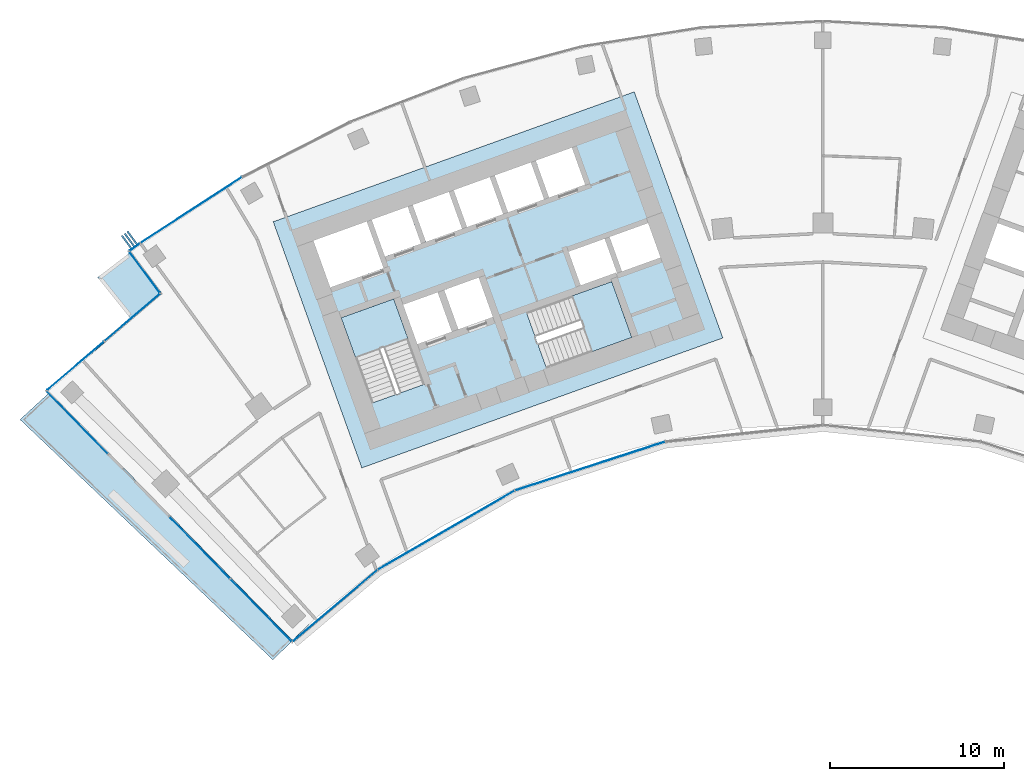
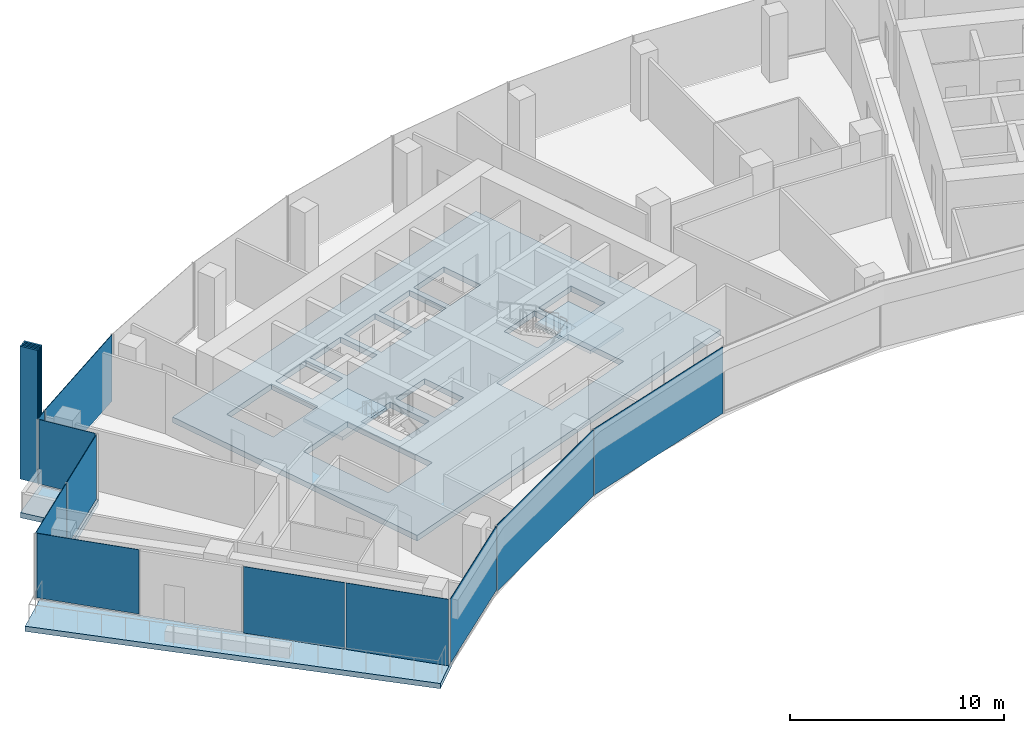
# One storey, part 10 of 20: 14 plates, 5 slabs, 7 elements without a shape of their own.
"""IFC4 building model written with IfcOpenShell, lengths in metres."""

from ifc_helpers import new_model, si_unit, direction, frame, origin, origin_2d, place, context, subcontext, project, spatial, polyline, rectangle, outline, extrude, material, layer, layer_set, type_object, element, aggregate, save


model = new_model("IFC4")

# Units and contexts
model_context = context("Model", 3, precision=1e-05, world=origin(), true_north=direction((0.0, 1.0)))
body_context = subcontext(model_context, "Body", "Model", "MODEL_VIEW")
ifc_project = project(units=[si_unit("LENGTHUNIT", "METRE"), si_unit("AREAUNIT", "SQUARE_METRE"), si_unit("VOLUMEUNIT", "CUBIC_METRE"), si_unit("PLANEANGLEUNIT", "RADIAN"), si_unit("MASSUNIT", "GRAM", prefix="KILO")], contexts=[model_context])

# Site, building, storey
site_placement = place(None, origin())
site = spatial("IfcSite", under=ifc_project, at=site_placement, CompositionType="ELEMENT")
building_placement = place(site_placement, origin())
building = spatial("IfcBuilding", under=site, at=building_placement, Name="Stone Belt Terrace Tower", CompositionType="ELEMENT")
storey_placement = place(building_placement, frame((0.0, 0.0, 216.199951171875)))
storey = spatial("IfcBuildingStorey", under=building, at=storey_placement, Name="L52", CompositionType="ELEMENT", Elevation=216.199951171875)

# Curtain wall, plates
ifc_material_1 = material(Name="Aluminium 6063-T6 anodised frame", Category="aluminium")
ifc_layer_1 = layer(ifc_material_1, 0.14990234375)
ifc_layer_set_1 = layer_set([ifc_layer_1], Name="CW-A unitised convex-face curtain wall")
curtain_wall_type_1 = type_object("IfcCurtainWallType", Name="CW-A unitised convex-face curtain wall", PredefinedType="NOTDEFINED", material=ifc_layer_set_1)
curtain_wall_1_placement = place(storey_placement, origin())
curtain_wall_1 = element("IfcCurtainWall", 1, at=curtain_wall_1_placement, inside=storey, type_object=curtain_wall_type_1, Name="CW-A convex face L52", PredefinedType="NOTDEFINED")
ifc_material_2 = material(Name="Clear double glazed unit")
ifc_layer_2 = layer(ifc_material_2, 0.031982421875)
ifc_layer_set_2 = layer_set([ifc_layer_2], Name="CW-A glass panel 32")
plate_type_1 = type_object("IfcPlateType", Name="CW-A glass panel 32", PredefinedType="CURTAIN_PANEL", material=ifc_layer_set_2)
plate_1_placement = place(storey_placement, frame((-36.209716796875, 55.758056640625, 0.0), z_axis=(0.0, 0.0, 1.0), x_axis=(-0.838670567945, -0.544639035015, 0.0)))
plate_1 = element("IfcPlate", 2, at=plate_1_placement, type_object=plate_type_1, Name="CW-A panel 14.1", PredefinedType="CURTAIN_PANEL", context=body_context, shape_type="SweptSolid", body=[
    extrude(rectangle(XDim=6.900634765625, YDim=0.031982421875, at=origin_2d()), origin(), (0.0, 0.0, 1.0), 3.800048828125),
])
plate_2_placement = place(storey_placement, frame((-39.436279296875, 53.636474609375, 0.0), z_axis=(0.0, 0.0, 1.0), x_axis=(-0.805804947695, -0.592181041802, 0.0)))
plate_2 = element("IfcPlate", 3, at=plate_2_placement, type_object=plate_type_1, Name="CW-A panel 15.1", PredefinedType="CURTAIN_PANEL", context=body_context, shape_type="SweptSolid", body=[
    extrude(rectangle(XDim=0.695068359375, YDim=0.031982421875, at=origin_2d()), origin(), (0.0, 0.0, 1.0), 3.800048828125),
])
aggregate(curtain_wall_1, [plate_1, plate_2])

ifc_layer_3 = layer(ifc_material_1, 0.14990234375)
ifc_layer_set_3 = layer_set([ifc_layer_3], Name="CW-B unitised concave-face curtain wall")
curtain_wall_type_2 = type_object("IfcCurtainWallType", Name="CW-B unitised concave-face curtain wall", PredefinedType="NOTDEFINED", material=ifc_layer_set_3)
curtain_wall_2_placement = place(storey_placement, origin())
curtain_wall_2 = element("IfcCurtainWall", 4, at=curtain_wall_2_placement, inside=storey, type_object=curtain_wall_type_2, Name="CW-B concave face L52", PredefinedType="NOTDEFINED")
ifc_layer_4 = layer(ifc_material_2, 0.030029296875)
ifc_layer_set_4 = layer_set([ifc_layer_4], Name="CW-B glass panel 30")
plate_type_2 = type_object("IfcPlateType", Name="CW-B glass panel 30", PredefinedType="CURTAIN_PANEL", material=ifc_layer_set_4)
plate_3_placement = place(storey_placement, frame((-27.96240234375, 33.072021484375, 0.1201171875), z_axis=(0.0, 0.0, 1.0), x_axis=(0.763918888428, 0.645312274719, 0.0)))
plate_3 = element("IfcPlate", 5, at=plate_3_placement, type_object=plate_type_2, Name="CW-B panel 1.1", PredefinedType="CURTAIN_PANEL", context=body_context, shape_type="SweptSolid", body=[
    extrude(rectangle(XDim=6.3173828125, YDim=0.030029296875, at=origin_2d()), origin(), (0.0, 0.0, 1.0), 3.679931640625),
])
plate_4_placement = place(storey_placement, frame((-21.594482421875, 37.400146484375, 0.0), z_axis=(0.0, 0.0, 1.0), x_axis=(0.866025403784, 0.5, 0.0)))
plate_4 = element("IfcPlate", 6, at=plate_4_placement, type_object=plate_type_2, Name="CW-B panel 2.1", PredefinedType="CURTAIN_PANEL", context=body_context, shape_type="SweptSolid", body=[
    extrude(rectangle(XDim=9.01513671875, YDim=0.030029296875, at=origin_2d()), origin(), (0.0, 0.0, 1.0), 3.800048828125),
])
plate_5_placement = place(storey_placement, frame((-13.345458984375, 41.072998046875, 0.0), z_axis=(0.0, 0.0, 1.0), x_axis=(0.951056516295, 0.309016994375, 0.0)))
plate_5 = element("IfcPlate", 7, at=plate_5_placement, type_object=plate_type_2, Name="CW-B panel 3.1", PredefinedType="CURTAIN_PANEL", context=body_context, shape_type="SweptSolid", body=[
    extrude(rectangle(XDim=9.0126953125, YDim=0.030029296875, at=origin_2d()), origin(), (0.0, 0.0, 1.0), 3.800048828125),
])
aggregate(curtain_wall_2, [plate_3, plate_4, plate_5])

# Curtain wall, plate
ifc_layer_5 = layer(ifc_material_1, 0.14990234375)
ifc_layer_set_5 = layer_set([ifc_layer_5], Name="CW-C stick curtain wall, horn ends and notches")
curtain_wall_type_3 = type_object("IfcCurtainWallType", Name="CW-C stick curtain wall, horn ends and notches", PredefinedType="NOTDEFINED", material=ifc_layer_set_5)
curtain_wall_3_placement = place(storey_placement, origin())
curtain_wall_3 = element("IfcCurtainWall", 8, at=curtain_wall_3_placement, inside=storey, type_object=curtain_wall_type_3, Name="CW-C notch face L52", PredefinedType="NOTDEFINED")
ifc_layer_6 = layer(ifc_material_2, 0.028076171875)
ifc_layer_set_6 = layer_set([ifc_layer_6], Name="CW-C glass panel 28")
plate_type_3 = type_object("IfcPlateType", Name="CW-C glass panel 28", PredefinedType="CURTAIN_PANEL", material=ifc_layer_set_6)
plate_6_placement = place(storey_placement, frame((-38.879638671875, 52.18017578125, 0.1201171875), z_axis=(0.0, 0.0, 1.0), x_axis=(0.596559278942, -0.802569016788, 0.0)))
plate_6 = element("IfcPlate", 9, at=plate_6_placement, type_object=plate_type_3, Name="CW-C panel 1.1", PredefinedType="CURTAIN_PANEL", context=body_context, shape_type="SweptSolid", body=[
    extrude(rectangle(XDim=2.85791015625, YDim=0.028076171875, at=origin_2d()), origin(), (0.0, 0.0, 1.0), 3.679931640625),
])
aggregate(curtain_wall_3, [plate_6])

# Curtain wall, plates
curtain_wall_4_placement = place(storey_placement, origin())
curtain_wall_4 = element("IfcCurtainWall", 10, at=curtain_wall_4_placement, inside=storey, type_object=curtain_wall_type_3, Name="CW-C notch face L52", PredefinedType="NOTDEFINED")
plate_7_placement = place(storey_placement, frame((-39.605712890625, 49.589111328125, 0.1201171875), z_axis=(0.0, 0.0, 1.0), x_axis=(-0.760394317919, -0.649461685764, 0.0)))
plate_7 = element("IfcPlate", 11, at=plate_7_placement, type_object=plate_type_3, Name="CW-C panel 1.1", PredefinedType="CURTAIN_PANEL", context=body_context, shape_type="SweptSolid", body=[
    extrude(rectangle(XDim=4.12060546875, YDim=0.028076171875, at=origin_2d()), origin(), (0.0, 0.0, 1.0), 3.679931640625),
])
plate_8_placement = place(storey_placement, frame((-42.8408203125, 46.825927734375, 0.0), z_axis=(0.0, 0.0, 1.0), x_axis=(-0.760394317919, -0.649461685764, 0.0)))
plate_8 = element("IfcPlate", 12, at=plate_8_placement, type_object=plate_type_3, Name="CW-C panel 2.1", PredefinedType="CURTAIN_PANEL", context=body_context, shape_type="SweptSolid", body=[
    extrude(rectangle(XDim=4.268798828125, YDim=0.028076171875, at=origin_2d()), origin(), (0.0, 0.0, 1.0), 3.800048828125),
])
aggregate(curtain_wall_4, [plate_7, plate_8])

curtain_wall_5_placement = place(storey_placement, origin())
curtain_wall_5 = element("IfcCurtainWall", 13, at=curtain_wall_5_placement, inside=storey, type_object=curtain_wall_type_3, Name="CW-C end face L52", PredefinedType="NOTDEFINED")
plate_9_placement = place(storey_placement, frame((-42.728759765625, 43.55908203125, 0.1201171875), z_axis=(0.0, 0.0, 1.0), x_axis=(0.699391266233, -0.714739013009, 0.0)))
plate_9 = element("IfcPlate", 14, at=plate_9_placement, type_object=plate_type_3, Name="CW-C panel 1.1", PredefinedType="CURTAIN_PANEL", context=body_context, shape_type="SweptSolid", body=[
    extrude(rectangle(XDim=4.974853515625, YDim=0.028076171875, at=origin_2d()), origin(), (0.0, 0.0, 1.0), 3.679931640625),
])
plate_10_placement = place(storey_placement, frame((-35.72265625, 36.399169921875, 0.0), z_axis=(0.0, 0.0, 1.0), x_axis=(0.699391266233, -0.714739013009, 0.0)))
plate_10 = element("IfcPlate", 15, at=plate_10_placement, type_object=plate_type_3, Name="CW-C panel 3.1", PredefinedType="CURTAIN_PANEL", context=body_context, shape_type="SweptSolid", body=[
    extrude(rectangle(XDim=4.93994140625, YDim=0.028076171875, at=origin_2d()), origin(), (0.0, 0.0, 1.0), 3.800048828125),
])
plate_11_placement = place(storey_placement, frame((-32.21630859375, 32.81591796875, 0.0), z_axis=(0.0, 0.0, 1.0), x_axis=(0.699391266233, -0.714739013009, 0.0)))
plate_11 = element("IfcPlate", 16, at=plate_11_placement, type_object=plate_type_3, Name="CW-C panel 4.1", PredefinedType="CURTAIN_PANEL", context=body_context, shape_type="SweptSolid", body=[
    extrude(rectangle(XDim=4.966552734375, YDim=0.028076171875, at=origin_2d()), origin(), (0.0, 0.0, 1.0), 3.800048828125),
])
aggregate(curtain_wall_5, [plate_9, plate_10, plate_11])

# Slab
ifc_material_3 = material(Name="Concrete B40", Category="concrete")
ifc_layer_7 = layer(ifc_material_3, 0.320068359375)
ifc_layer_set_7 = layer_set([ifc_layer_7], Name="Core floor slab 320")
slab_type_1 = type_object("IfcSlabType", Name="Core floor slab 320", PredefinedType="FLOOR", material=ifc_layer_set_7)
slab_1_placement = place(storey_placement, frame((0.0, 0.0, -0.320068359375)))
element("IfcSlab", 17, at=slab_1_placement, inside=storey, type_object=slab_type_1, Name="Core A floor L52", PredefinedType="FLOOR", context=body_context, shape_type="SweptSolid", body=[
    extrude(outline(polyline([(-26.43505859375, 40.968994140625), (-5.735107421875, 48.4189453125), (-10.81396484375, 62.531982421875), (-31.513916015625, 55.0830078125), (-26.43505859375, 40.968994140625)]), holes=[polyline([(-24.60791015625, 50.659912109375), (-22.847900390625, 45.76806640625), (-25.85888671875, 44.68408203125), (-27.618896484375, 49.575927734375), (-24.60791015625, 50.659912109375)]), polyline([(-23.25, 48.06689453125), (-24.06298828125, 50.324951171875), (-22.0869140625, 51.035888671875), (-21.27392578125, 48.778076171875), (-23.25, 48.06689453125)]), polyline([(-20.89794921875, 48.9130859375), (-21.7109375, 51.1708984375), (-19.735107421875, 51.883056640625), (-18.922119140625, 49.6240234375), (-20.89794921875, 48.9130859375)]), polyline([(-28.24609375, 51.31689453125), (-29.2109375, 53.9990234375), (-26.153076171875, 55.09912109375), (-25.18798828125, 52.41796875), (-28.24609375, 51.31689453125)]), polyline([(-23.801025390625, 55.946044921875), (-23.0390625, 53.8291015625), (-25.10888671875, 53.083984375), (-25.87109375, 55.200927734375), (-23.801025390625, 55.946044921875)]), polyline([(-21.447998046875, 56.7919921875), (-20.68603515625, 54.675048828125), (-22.756103515625, 53.929931640625), (-23.51806640625, 56.047119140625), (-21.447998046875, 56.7919921875)]), polyline([(-10.955078125, 48.452880859375), (-15.846923828125, 46.69189453125), (-16.998046875, 49.89208984375), (-12.10595703125, 51.652099609375), (-10.955078125, 48.452880859375)]), polyline([(-11.847900390625, 52.116943359375), (-11.864990234375, 52.1640625), (-13.887939453125, 51.43603515625), (-14.58203125, 53.364990234375), (-12.511962890625, 54.110107421875), (-11.801025390625, 52.134033203125), (-11.847900390625, 52.116943359375)]), polyline([(-9.30810546875, 53.031005859375), (-11.51904296875, 52.235107421875), (-12.22998046875, 54.2109375), (-10.01904296875, 55.007080078125), (-9.30810546875, 53.031005859375)]), polyline([(-21.166015625, 56.89404296875), (-19.095947265625, 57.638916015625), (-18.333984375, 55.52197265625), (-20.404052734375, 54.777099609375), (-21.166015625, 56.89404296875)]), polyline([(-16.743896484375, 58.485107421875), (-15.98193359375, 56.367919921875), (-18.052001953125, 55.623046875), (-18.81396484375, 57.739990234375), (-16.743896484375, 58.485107421875)]), polyline([(-14.39111328125, 59.33203125), (-13.6298828125, 57.215087890625), (-15.699951171875, 56.469970703125), (-16.4609375, 58.5869140625), (-14.39111328125, 59.33203125)])]), origin(), (0.0, 0.0, 1.0), 0.320068359375),
])

# Stair, slab
stair_type = type_object("IfcStairType", Name="Exit stair 1500", PredefinedType="HALF_TURN_STAIR", material=ifc_material_3)
stair_1_placement = place(storey_placement, origin())
stair_1 = element("IfcStair", 18, at=stair_1_placement, inside=storey, type_object=stair_type, Name="L52 Exit stair 1 core A", PredefinedType="HALF_TURN_STAIR")
ifc_layer_8 = layer(ifc_material_3, 0.199951171875)
ifc_layer_set_8 = layer_set([ifc_layer_8], Name="Stair landing 200")
slab_type_2 = type_object("IfcSlabType", Name="Stair landing 200", PredefinedType="LANDING", material=ifc_layer_set_8)
slab_2_placement = place(storey_placement, frame((0.0, 0.0, 1.699951171875)))
slab_2 = element("IfcSlab", 19, at=slab_2_placement, type_object=slab_type_2, Name="ST1A landing 1", PredefinedType="LANDING", context=body_context, shape_type="SweptSolid", body=[
    extrude(outline(polyline([(-23.79541015625, 48.40087890625), (-24.6083984375, 50.659912109375), (-27.619384765625, 49.576171875), (-26.806396484375, 47.3173828125), (-23.79541015625, 48.40087890625)])), origin(), (0.0, 0.0, 1.0), 0.2001953125),
])
aggregate(stair_1, [slab_2])

stair_2_placement = place(storey_placement, origin())
stair_2 = element("IfcStair", 20, at=stair_2_placement, inside=storey, type_object=stair_type, Name="L52 Exit stair 2 core A", PredefinedType="HALF_TURN_STAIR")
slab_3_placement = place(storey_placement, frame((0.0, 0.0, 1.699951171875)))
slab_3 = element("IfcSlab", 21, at=slab_3_placement, type_object=slab_type_2, Name="ST2A landing 1", PredefinedType="LANDING", context=body_context, shape_type="SweptSolid", body=[
    extrude(outline(polyline([(-13.213623046875, 47.64013671875), (-10.95458984375, 48.453125), (-12.10595703125, 51.652099609375), (-14.36474609375, 50.839111328125), (-13.213623046875, 47.64013671875)])), origin(), (0.0, 0.0, 1.0), 0.2001953125),
])
aggregate(stair_2, [slab_3])

# Slabs
ifc_layer_9 = layer(ifc_material_3, 0.300048828125)
ifc_layer_set_9 = layer_set([ifc_layer_9], Name="Terrace slab 300 B40")
slab_type_3 = type_object("IfcSlabType", Name="Terrace slab 300 B40", PredefinedType="FLOOR", material=ifc_layer_set_9)
slab_4_placement = place(storey_placement, frame((0.0, 0.0, -0.300048828125)))
element("IfcSlab", 22, at=slab_4_placement, inside=storey, type_object=slab_type_3, Name="Terrace slab L52-stack_terrace-1", PredefinedType="FLOOR", context=body_context, shape_type="SweptSolid", body=[
    extrude(outline(polyline([(-46.031982421875, 43.7412109375), (-31.53369140625, 29.964599609375), (-29.2578125, 32.180419921875), (-29.26025390625, 32.18310546875), (-30.423583984375, 31.091064453125), (-44.331298828125, 45.30419921875), (-46.031982421875, 43.7412109375)])), origin(), (0.0, 0.0, 1.0), 0.300048828125),
])
slab_5_placement = place(storey_placement, frame((0.0, 0.0, -0.300048828125)))
element("IfcSlab", 23, at=slab_5_placement, inside=storey, type_object=slab_type_3, Name="Terrace slab L52-notch_roof-2", PredefinedType="FLOOR", context=body_context, shape_type="SweptSolid", body=[
    extrude(outline(polyline([(-41.585205078125, 51.893310546875), (-39.709228515625, 49.55224609375), (-41.94873046875, 47.493896484375), (-41.9462890625, 47.4912109375), (-37.881591796875, 50.963134765625), (-39.663330078125, 53.3603515625), (-41.585205078125, 51.893310546875)])), origin(), (0.0, 0.0, 1.0), 0.300048828125),
])

# Plates
ifc_material_4 = material(Name="Terracotta coloured glazed ceramic", Category="masonry")
ifc_layer_10 = layer(ifc_material_4, 0.10009765625)
ifc_layer_set_10 = layer_set([ifc_layer_10], Name="Terracotta fin 100 x 900")
plate_type_4 = type_object("IfcPlateType", Name="Terracotta fin 100 x 900", PredefinedType="SHEET", material=ifc_layer_set_10)
for number, where, z_axis, x_axis, name in (
    (24, (-39.602783203125, 54.165771484375, 0.0), (0.0, 0.0, 1.0), (-0.592181041802, 0.805804947695, 0.0), "FIN L52 15.2"),
    (25, (-39.76416015625, 54.047119140625, 0.0), (0.0, 0.0, 1.0), (-0.592181041802, 0.805804947695, 0.0), "FIN L52 15.3"),
    (26, (-39.92578125, 53.928466796875, 0.0), (0.0, 0.0, 1.0), (-0.592181041802, 0.805804947695, 0.0), "FIN L52 15.4"),
):
    element("IfcPlate", number, at=place(storey_placement, frame(where, z_axis=z_axis, x_axis=x_axis)), inside=storey, type_object=plate_type_4, Name=name, PredefinedType="SHEET", context=body_context, shape_type="SweptSolid", body=[
        extrude(rectangle(XDim=0.89990234375, YDim=0.10009765625, at=origin_2d()), origin(), (0.0, 0.0, 1.0), 7.60009765625),
    ])

save(model, "model.ifc")
